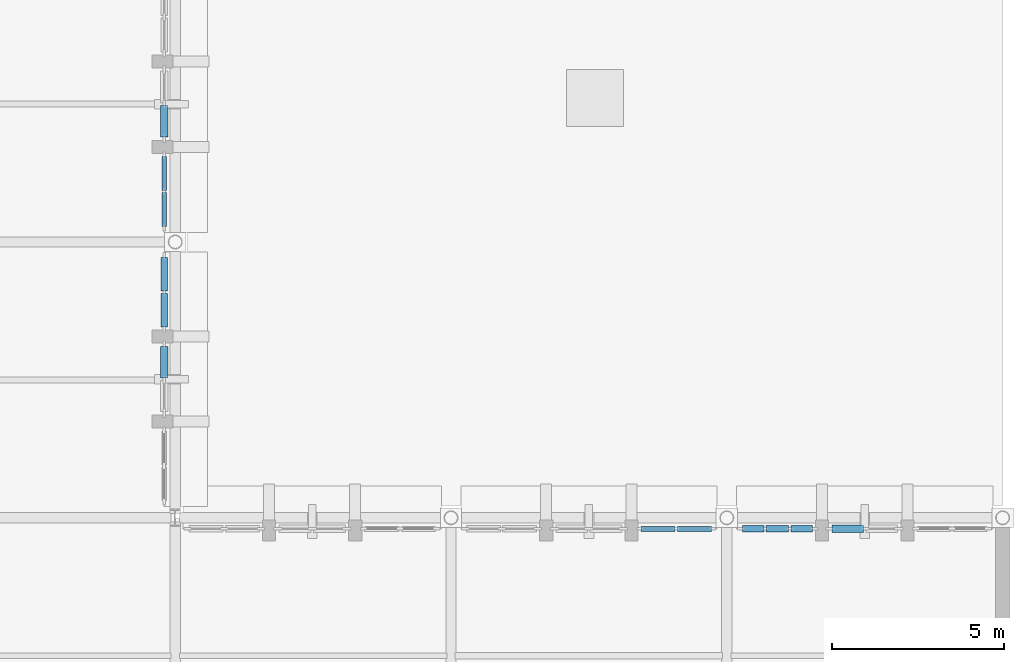
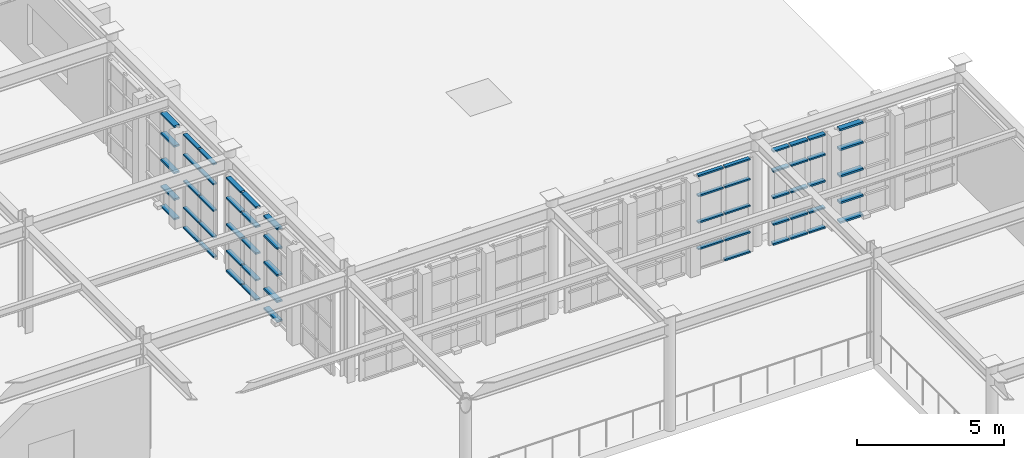
# One storey, part 82 of 155: 59 members, 7 elements without a shape of their own.
"""IFC4 building model written with IfcOpenShell, lengths in metres."""

from ifc_helpers import new_model, si_unit, direction, frame, origin, origin_2d, place, context, subcontext, project, spatial, rectangle, extrude, material, layer, layer_set, material_profile, profile_set, type_object, element, aggregate, save


model = new_model("IFC4")

# Units and contexts
model_context = context("Model", 3, precision=1e-05, world=origin(), true_north=direction((0.0, 1.0)))
body_context = subcontext(model_context, "Body", "Model", "MODEL_VIEW")
ifc_project = project(units=[si_unit("LENGTHUNIT", "METRE"), si_unit("AREAUNIT", "SQUARE_METRE"), si_unit("VOLUMEUNIT", "CUBIC_METRE"), si_unit("PLANEANGLEUNIT", "RADIAN"), si_unit("MASSUNIT", "GRAM", prefix="KILO")], contexts=[model_context])

# Site, building, storey
site_placement = place(None, origin())
site = spatial("IfcSite", under=ifc_project, at=site_placement, CompositionType="ELEMENT")
building_placement = place(site_placement, origin())
building = spatial("IfcBuilding", under=site, at=building_placement, Name="Tazarka Park Arena", CompositionType="ELEMENT")
storey_placement = place(building_placement, frame((0.0, 0.0, 5.39990234375)))
storey = spatial("IfcBuildingStorey", under=building, at=storey_placement, Name="L01", CompositionType="ELEMENT", Elevation=5.39990234375)

# Curtain wall, members
ifc_material_1 = material(Name="Aluminium and low-e glass", Category="aluminium")
ifc_layer_1 = layer(ifc_material_1, 0.179931640625, Name="Aluminium and low-e glass")
ifc_layer_set_1 = layer_set([ifc_layer_1], Name="Aluminium and low-e glass")
curtain_wall_type_1 = type_object("IfcCurtainWallType", Name="CW-15", PredefinedType="NOTDEFINED", material=ifc_layer_set_1)
curtain_wall_1_placement = place(storey_placement, origin())
curtain_wall_1 = element("IfcCurtainWall", 1, at=curtain_wall_1_placement, inside=storey, type_object=curtain_wall_type_1, Name="Curtain Wall CWA-L01-195", PredefinedType="NOTDEFINED")
ifc_material_2 = material(Name="Aluminium 6060-T66", Category="aluminium")
ifc_material_profile_1 = material_profile(ifc_material_2, rectangle(XDim=0.139892578125, YDim=0.06494140625, at=origin_2d()), Name="Aluminium 6060-T66")
ifc_profile_set_1 = profile_set([ifc_material_profile_1], Name="Aluminium 6060-T66")
member_type_1 = type_object("IfcMemberType", Name="CWT-01", PredefinedType="USERDEFINED", material=ifc_profile_set_1)
member_1_placement = place(storey_placement, frame((173.513916015625, 103.679931640625, 0.85009765625), z_axis=(1.0, 0.0, 0.0), x_axis=(0.0, 1.0, 0.0)))
member_1 = element("IfcMember", 2, at=member_1_placement, type_object=member_type_1, Name="CW-15 transom 1.2", ObjectType="TRANSOM", PredefinedType="USERDEFINED", context=body_context, shape_type="SweptSolid", body=[
    extrude(rectangle(XDim=0.139892578125, YDim=0.06494140625, at=origin_2d()), origin(), (0.0, 0.0, 1.0), 0.986328125),
])
member_2_placement = place(storey_placement, frame((173.513916015625, 103.679931640625, 1.9501953125), z_axis=(1.0, 0.0, 0.0), x_axis=(0.0, 1.0, 0.0)))
member_2 = element("IfcMember", 3, at=member_2_placement, type_object=member_type_1, Name="CW-15 transom 1.3", ObjectType="TRANSOM", PredefinedType="USERDEFINED", context=body_context, shape_type="SweptSolid", body=[
    extrude(rectangle(XDim=0.139892578125, YDim=0.06494140625, at=origin_2d()), origin(), (0.0, 0.0, 1.0), 0.986328125),
])
member_3_placement = place(storey_placement, frame((173.513916015625, 103.679931640625, 3.050048828125), z_axis=(1.0, 0.0, 0.0), x_axis=(0.0, 1.0, 0.0)))
member_3 = element("IfcMember", 4, at=member_3_placement, type_object=member_type_1, Name="CW-15 transom 1.4", ObjectType="TRANSOM", PredefinedType="USERDEFINED", context=body_context, shape_type="SweptSolid", body=[
    extrude(rectangle(XDim=0.139892578125, YDim=0.06494140625, at=origin_2d()), origin(), (0.0, 0.0, 1.0), 0.986328125),
])
member_4_placement = place(storey_placement, frame((173.513916015625, 103.679931640625, 3.877685546875), z_axis=(1.0, 0.0, 0.0), x_axis=(0.0, 1.0, 0.0)))
member_4 = element("IfcMember", 5, at=member_4_placement, type_object=member_type_1, Name="CW-15 transom 1.5", ObjectType="TRANSOM", PredefinedType="USERDEFINED", context=body_context, shape_type="SweptSolid", body=[
    extrude(rectangle(XDim=0.139892578125, YDim=0.06494140625, at=origin_2d()), origin(), (0.0, 0.0, 1.0), 0.986328125),
])
member_5_placement = place(storey_placement, frame((174.5654296875, 103.679931640625, 0.03271484375), z_axis=(1.0, 0.0, 0.0), x_axis=(0.0, 1.0, 0.0)))
member_5 = element("IfcMember", 6, at=member_5_placement, type_object=member_type_1, Name="CW-15 transom 2.1", ObjectType="TRANSOM", PredefinedType="USERDEFINED", context=body_context, shape_type="SweptSolid", body=[
    extrude(rectangle(XDim=0.139892578125, YDim=0.06494140625, at=origin_2d()), origin(), (0.0, 0.0, 1.0), 0.986328125),
])
member_6_placement = place(storey_placement, frame((174.5654296875, 103.679931640625, 0.85009765625), z_axis=(1.0, 0.0, 0.0), x_axis=(0.0, 1.0, 0.0)))
member_6 = element("IfcMember", 7, at=member_6_placement, type_object=member_type_1, Name="CW-15 transom 2.2", ObjectType="TRANSOM", PredefinedType="USERDEFINED", context=body_context, shape_type="SweptSolid", body=[
    extrude(rectangle(XDim=0.139892578125, YDim=0.06494140625, at=origin_2d()), origin(), (0.0, 0.0, 1.0), 0.986328125),
])
member_7_placement = place(storey_placement, frame((174.5654296875, 103.679931640625, 1.9501953125), z_axis=(1.0, 0.0, 0.0), x_axis=(0.0, 1.0, 0.0)))
member_7 = element("IfcMember", 8, at=member_7_placement, type_object=member_type_1, Name="CW-15 transom 2.3", ObjectType="TRANSOM", PredefinedType="USERDEFINED", context=body_context, shape_type="SweptSolid", body=[
    extrude(rectangle(XDim=0.139892578125, YDim=0.06494140625, at=origin_2d()), origin(), (0.0, 0.0, 1.0), 0.986328125),
])
member_8_placement = place(storey_placement, frame((174.5654296875, 103.679931640625, 3.050048828125), z_axis=(1.0, 0.0, 0.0), x_axis=(0.0, 1.0, 0.0)))
member_8 = element("IfcMember", 9, at=member_8_placement, type_object=member_type_1, Name="CW-15 transom 2.4", ObjectType="TRANSOM", PredefinedType="USERDEFINED", context=body_context, shape_type="SweptSolid", body=[
    extrude(rectangle(XDim=0.139892578125, YDim=0.06494140625, at=origin_2d()), origin(), (0.0, 0.0, 1.0), 0.986328125),
])
member_9_placement = place(storey_placement, frame((174.5654296875, 103.679931640625, 3.877685546875), z_axis=(1.0, 0.0, 0.0), x_axis=(0.0, 1.0, 0.0)))
member_9 = element("IfcMember", 10, at=member_9_placement, type_object=member_type_1, Name="CW-15 transom 2.5", ObjectType="TRANSOM", PredefinedType="USERDEFINED", context=body_context, shape_type="SweptSolid", body=[
    extrude(rectangle(XDim=0.139892578125, YDim=0.06494140625, at=origin_2d()), origin(), (0.0, 0.0, 1.0), 0.986328125),
])
aggregate(curtain_wall_1, [member_1, member_2, member_3, member_4, member_5, member_6, member_7, member_8, member_9])

ifc_material_3 = material(Name="Aluminium and low-e glass", Category="aluminium")
ifc_layer_2 = layer(ifc_material_3, 0.179931640625, Name="Aluminium and low-e glass")
ifc_layer_set_2 = layer_set([ifc_layer_2], Name="Aluminium and low-e glass")
curtain_wall_type_2 = type_object("IfcCurtainWallType", Name="CW-24", PredefinedType="NOTDEFINED", material=ifc_layer_set_2)
curtain_wall_2_placement = place(storey_placement, origin())
curtain_wall_2 = element("IfcCurtainWall", 11, at=curtain_wall_2_placement, inside=storey, type_object=curtain_wall_type_2, Name="Curtain Wall CWA-L01-204", PredefinedType="NOTDEFINED")
member_10_placement = place(storey_placement, frame((159.679931640625, 114.486083984375, 0.03271484375), z_axis=(0.0, -1.0, 0.0), x_axis=(1.0, 0.0, 0.0)))
member_10 = element("IfcMember", 12, at=member_10_placement, type_object=member_type_1, Name="CW-24 transom 1.1", ObjectType="TRANSOM", PredefinedType="USERDEFINED", context=body_context, shape_type="SweptSolid", body=[
    extrude(rectangle(XDim=0.139892578125, YDim=0.06494140625, at=origin_2d()), origin(), (0.0, 0.0, 1.0), 0.986328125),
])
member_11_placement = place(storey_placement, frame((159.679931640625, 114.486083984375, 0.85009765625), z_axis=(0.0, -1.0, 0.0), x_axis=(1.0, 0.0, 0.0)))
member_11 = element("IfcMember", 13, at=member_11_placement, type_object=member_type_1, Name="CW-24 transom 1.2", ObjectType="TRANSOM", PredefinedType="USERDEFINED", context=body_context, shape_type="SweptSolid", body=[
    extrude(rectangle(XDim=0.139892578125, YDim=0.06494140625, at=origin_2d()), origin(), (0.0, 0.0, 1.0), 0.986328125),
])
member_12_placement = place(storey_placement, frame((159.679931640625, 114.486083984375, 1.9501953125), z_axis=(0.0, -1.0, 0.0), x_axis=(1.0, 0.0, 0.0)))
member_12 = element("IfcMember", 14, at=member_12_placement, type_object=member_type_1, Name="CW-24 transom 1.3", ObjectType="TRANSOM", PredefinedType="USERDEFINED", context=body_context, shape_type="SweptSolid", body=[
    extrude(rectangle(XDim=0.139892578125, YDim=0.06494140625, at=origin_2d()), origin(), (0.0, 0.0, 1.0), 0.986328125),
])
member_13_placement = place(storey_placement, frame((159.679931640625, 114.486083984375, 3.050048828125), z_axis=(0.0, -1.0, 0.0), x_axis=(1.0, 0.0, 0.0)))
member_13 = element("IfcMember", 15, at=member_13_placement, type_object=member_type_1, Name="CW-24 transom 1.4", ObjectType="TRANSOM", PredefinedType="USERDEFINED", context=body_context, shape_type="SweptSolid", body=[
    extrude(rectangle(XDim=0.139892578125, YDim=0.06494140625, at=origin_2d()), origin(), (0.0, 0.0, 1.0), 0.986328125),
])
member_14_placement = place(storey_placement, frame((159.679931640625, 114.486083984375, 3.877685546875), z_axis=(0.0, -1.0, 0.0), x_axis=(1.0, 0.0, 0.0)))
member_14 = element("IfcMember", 16, at=member_14_placement, type_object=member_type_1, Name="CW-24 transom 1.5", ObjectType="TRANSOM", PredefinedType="USERDEFINED", context=body_context, shape_type="SweptSolid", body=[
    extrude(rectangle(XDim=0.139892578125, YDim=0.06494140625, at=origin_2d()), origin(), (0.0, 0.0, 1.0), 0.986328125),
])
member_15_placement = place(storey_placement, frame((159.679931640625, 113.4345703125, 0.03271484375), z_axis=(0.0, -1.0, 0.0), x_axis=(1.0, 0.0, 0.0)))
member_15 = element("IfcMember", 17, at=member_15_placement, type_object=member_type_1, Name="CW-24 transom 2.1", ObjectType="TRANSOM", PredefinedType="USERDEFINED", context=body_context, shape_type="SweptSolid", body=[
    extrude(rectangle(XDim=0.139892578125, YDim=0.06494140625, at=origin_2d()), origin(), (0.0, 0.0, 1.0), 0.986328125),
])
member_16_placement = place(storey_placement, frame((159.679931640625, 113.4345703125, 0.85009765625), z_axis=(0.0, -1.0, 0.0), x_axis=(1.0, 0.0, 0.0)))
member_16 = element("IfcMember", 18, at=member_16_placement, type_object=member_type_1, Name="CW-24 transom 2.2", ObjectType="TRANSOM", PredefinedType="USERDEFINED", context=body_context, shape_type="SweptSolid", body=[
    extrude(rectangle(XDim=0.139892578125, YDim=0.06494140625, at=origin_2d()), origin(), (0.0, 0.0, 1.0), 0.986328125),
])
member_17_placement = place(storey_placement, frame((159.679931640625, 113.4345703125, 1.9501953125), z_axis=(0.0, -1.0, 0.0), x_axis=(1.0, 0.0, 0.0)))
member_17 = element("IfcMember", 19, at=member_17_placement, type_object=member_type_1, Name="CW-24 transom 2.3", ObjectType="TRANSOM", PredefinedType="USERDEFINED", context=body_context, shape_type="SweptSolid", body=[
    extrude(rectangle(XDim=0.139892578125, YDim=0.06494140625, at=origin_2d()), origin(), (0.0, 0.0, 1.0), 0.986328125),
])
member_18_placement = place(storey_placement, frame((159.679931640625, 113.4345703125, 3.050048828125), z_axis=(0.0, -1.0, 0.0), x_axis=(1.0, 0.0, 0.0)))
member_18 = element("IfcMember", 20, at=member_18_placement, type_object=member_type_1, Name="CW-24 transom 2.4", ObjectType="TRANSOM", PredefinedType="USERDEFINED", context=body_context, shape_type="SweptSolid", body=[
    extrude(rectangle(XDim=0.139892578125, YDim=0.06494140625, at=origin_2d()), origin(), (0.0, 0.0, 1.0), 0.986328125),
])
member_19_placement = place(storey_placement, frame((159.679931640625, 113.4345703125, 3.877685546875), z_axis=(0.0, -1.0, 0.0), x_axis=(1.0, 0.0, 0.0)))
member_19 = element("IfcMember", 21, at=member_19_placement, type_object=member_type_1, Name="CW-24 transom 2.5", ObjectType="TRANSOM", PredefinedType="USERDEFINED", context=body_context, shape_type="SweptSolid", body=[
    extrude(rectangle(XDim=0.139892578125, YDim=0.06494140625, at=origin_2d()), origin(), (0.0, 0.0, 1.0), 0.986328125),
])
aggregate(curtain_wall_2, [member_10, member_11, member_12, member_13, member_14, member_15, member_16, member_17, member_18, member_19])

ifc_material_4 = material(Name="Aluminium and low-e glass", Category="aluminium")
ifc_layer_3 = layer(ifc_material_4, 0.179931640625, Name="Aluminium and low-e glass")
ifc_layer_set_3 = layer_set([ifc_layer_3], Name="Aluminium and low-e glass")
curtain_wall_type_3 = type_object("IfcCurtainWallType", Name="CW-10", PredefinedType="NOTDEFINED", material=ifc_layer_set_3)
curtain_wall_3_placement = place(storey_placement, origin())
curtain_wall_3 = element("IfcCurtainWall", 22, at=curtain_wall_3_placement, inside=storey, type_object=curtain_wall_type_3, Name="Curtain Wall CWA-L01-190", PredefinedType="NOTDEFINED")
ifc_material_5 = material(Name="Aluminium 6060-T66", Category="aluminium")
ifc_material_profile_2 = material_profile(ifc_material_5, rectangle(XDim=0.179931640625, YDim=0.06494140625, at=origin_2d()), Name="Aluminium 6060-T66")
ifc_profile_set_2 = profile_set([ifc_material_profile_2], Name="Aluminium 6060-T66")
member_type_2 = type_object("IfcMemberType", Name="CWT-02", PredefinedType="USERDEFINED", material=ifc_profile_set_2)
member_20_placement = place(storey_placement, frame((176.4482421875, 103.679931640625, 0.03271484375), z_axis=(1.0, 0.0, 0.0), x_axis=(0.0, 1.0, 0.0)))
member_20 = element("IfcMember", 23, at=member_20_placement, type_object=member_type_2, Name="CW-10 transom 1.1", ObjectType="TRANSOM", PredefinedType="USERDEFINED", context=body_context, shape_type="SweptSolid", body=[
    extrude(rectangle(XDim=0.179931640625, YDim=0.06494140625, at=origin_2d()), origin(), (0.0, 0.0, 1.0), 0.625),
])
member_21_placement = place(storey_placement, frame((176.4482421875, 103.679931640625, 0.85009765625), z_axis=(1.0, 0.0, 0.0), x_axis=(0.0, 1.0, 0.0)))
member_21 = element("IfcMember", 24, at=member_21_placement, type_object=member_type_2, Name="CW-10 transom 1.2", ObjectType="TRANSOM", PredefinedType="USERDEFINED", context=body_context, shape_type="SweptSolid", body=[
    extrude(rectangle(XDim=0.179931640625, YDim=0.06494140625, at=origin_2d()), origin(), (0.0, 0.0, 1.0), 0.625),
])
member_22_placement = place(storey_placement, frame((176.4482421875, 103.679931640625, 1.9501953125), z_axis=(1.0, 0.0, 0.0), x_axis=(0.0, 1.0, 0.0)))
member_22 = element("IfcMember", 25, at=member_22_placement, type_object=member_type_2, Name="CW-10 transom 1.3", ObjectType="TRANSOM", PredefinedType="USERDEFINED", context=body_context, shape_type="SweptSolid", body=[
    extrude(rectangle(XDim=0.179931640625, YDim=0.06494140625, at=origin_2d()), origin(), (0.0, 0.0, 1.0), 0.625),
])
member_23_placement = place(storey_placement, frame((176.4482421875, 103.679931640625, 3.050048828125), z_axis=(1.0, 0.0, 0.0), x_axis=(0.0, 1.0, 0.0)))
member_23 = element("IfcMember", 26, at=member_23_placement, type_object=member_type_2, Name="CW-10 transom 1.4", ObjectType="TRANSOM", PredefinedType="USERDEFINED", context=body_context, shape_type="SweptSolid", body=[
    extrude(rectangle(XDim=0.179931640625, YDim=0.06494140625, at=origin_2d()), origin(), (0.0, 0.0, 1.0), 0.625),
])
member_24_placement = place(storey_placement, frame((176.4482421875, 103.679931640625, 3.877685546875), z_axis=(1.0, 0.0, 0.0), x_axis=(0.0, 1.0, 0.0)))
member_24 = element("IfcMember", 27, at=member_24_placement, type_object=member_type_2, Name="CW-10 transom 1.5", ObjectType="TRANSOM", PredefinedType="USERDEFINED", context=body_context, shape_type="SweptSolid", body=[
    extrude(rectangle(XDim=0.179931640625, YDim=0.06494140625, at=origin_2d()), origin(), (0.0, 0.0, 1.0), 0.625),
])
member_25_placement = place(storey_placement, frame((177.138427734375, 103.679931640625, 0.03271484375), z_axis=(1.0, 0.0, 0.0), x_axis=(0.0, 1.0, 0.0)))
member_25 = element("IfcMember", 28, at=member_25_placement, type_object=member_type_2, Name="CW-10 transom 2.1", ObjectType="TRANSOM", PredefinedType="USERDEFINED", context=body_context, shape_type="SweptSolid", body=[
    extrude(rectangle(XDim=0.179931640625, YDim=0.06494140625, at=origin_2d()), origin(), (0.0, 0.0, 1.0), 0.657470703125),
])
member_26_placement = place(storey_placement, frame((177.138427734375, 103.679931640625, 0.85009765625), z_axis=(1.0, 0.0, 0.0), x_axis=(0.0, 1.0, 0.0)))
member_26 = element("IfcMember", 29, at=member_26_placement, type_object=member_type_2, Name="CW-10 transom 2.2", ObjectType="TRANSOM", PredefinedType="USERDEFINED", context=body_context, shape_type="SweptSolid", body=[
    extrude(rectangle(XDim=0.179931640625, YDim=0.06494140625, at=origin_2d()), origin(), (0.0, 0.0, 1.0), 0.657470703125),
])
member_27_placement = place(storey_placement, frame((177.138427734375, 103.679931640625, 1.9501953125), z_axis=(1.0, 0.0, 0.0), x_axis=(0.0, 1.0, 0.0)))
member_27 = element("IfcMember", 30, at=member_27_placement, type_object=member_type_2, Name="CW-10 transom 2.3", ObjectType="TRANSOM", PredefinedType="USERDEFINED", context=body_context, shape_type="SweptSolid", body=[
    extrude(rectangle(XDim=0.179931640625, YDim=0.06494140625, at=origin_2d()), origin(), (0.0, 0.0, 1.0), 0.657470703125),
])
member_28_placement = place(storey_placement, frame((177.138427734375, 103.679931640625, 3.050048828125), z_axis=(1.0, 0.0, 0.0), x_axis=(0.0, 1.0, 0.0)))
member_28 = element("IfcMember", 31, at=member_28_placement, type_object=member_type_2, Name="CW-10 transom 2.4", ObjectType="TRANSOM", PredefinedType="USERDEFINED", context=body_context, shape_type="SweptSolid", body=[
    extrude(rectangle(XDim=0.179931640625, YDim=0.06494140625, at=origin_2d()), origin(), (0.0, 0.0, 1.0), 0.657470703125),
])
member_29_placement = place(storey_placement, frame((177.138427734375, 103.679931640625, 3.877685546875), z_axis=(1.0, 0.0, 0.0), x_axis=(0.0, 1.0, 0.0)))
member_29 = element("IfcMember", 32, at=member_29_placement, type_object=member_type_2, Name="CW-10 transom 2.5", ObjectType="TRANSOM", PredefinedType="USERDEFINED", context=body_context, shape_type="SweptSolid", body=[
    extrude(rectangle(XDim=0.179931640625, YDim=0.06494140625, at=origin_2d()), origin(), (0.0, 0.0, 1.0), 0.657470703125),
])
member_30_placement = place(storey_placement, frame((177.861083984375, 103.679931640625, 0.03271484375), z_axis=(1.0, 0.0, 0.0), x_axis=(0.0, 1.0, 0.0)))
member_30 = element("IfcMember", 33, at=member_30_placement, type_object=member_type_2, Name="CW-10 transom 3.1", ObjectType="TRANSOM", PredefinedType="USERDEFINED", context=body_context, shape_type="SweptSolid", body=[
    extrude(rectangle(XDim=0.179931640625, YDim=0.06494140625, at=origin_2d()), origin(), (0.0, 0.0, 1.0), 0.625),
])
member_31_placement = place(storey_placement, frame((177.861083984375, 103.679931640625, 0.85009765625), z_axis=(1.0, 0.0, 0.0), x_axis=(0.0, 1.0, 0.0)))
member_31 = element("IfcMember", 34, at=member_31_placement, type_object=member_type_2, Name="CW-10 transom 3.2", ObjectType="TRANSOM", PredefinedType="USERDEFINED", context=body_context, shape_type="SweptSolid", body=[
    extrude(rectangle(XDim=0.179931640625, YDim=0.06494140625, at=origin_2d()), origin(), (0.0, 0.0, 1.0), 0.625),
])
member_32_placement = place(storey_placement, frame((177.861083984375, 103.679931640625, 1.9501953125), z_axis=(1.0, 0.0, 0.0), x_axis=(0.0, 1.0, 0.0)))
member_32 = element("IfcMember", 35, at=member_32_placement, type_object=member_type_2, Name="CW-10 transom 3.3", ObjectType="TRANSOM", PredefinedType="USERDEFINED", context=body_context, shape_type="SweptSolid", body=[
    extrude(rectangle(XDim=0.179931640625, YDim=0.06494140625, at=origin_2d()), origin(), (0.0, 0.0, 1.0), 0.625),
])
member_33_placement = place(storey_placement, frame((177.861083984375, 103.679931640625, 3.050048828125), z_axis=(1.0, 0.0, 0.0), x_axis=(0.0, 1.0, 0.0)))
member_33 = element("IfcMember", 36, at=member_33_placement, type_object=member_type_2, Name="CW-10 transom 3.4", ObjectType="TRANSOM", PredefinedType="USERDEFINED", context=body_context, shape_type="SweptSolid", body=[
    extrude(rectangle(XDim=0.179931640625, YDim=0.06494140625, at=origin_2d()), origin(), (0.0, 0.0, 1.0), 0.625),
])
member_34_placement = place(storey_placement, frame((177.861083984375, 103.679931640625, 3.877685546875), z_axis=(1.0, 0.0, 0.0), x_axis=(0.0, 1.0, 0.0)))
member_34 = element("IfcMember", 37, at=member_34_placement, type_object=member_type_2, Name="CW-10 transom 3.5", ObjectType="TRANSOM", PredefinedType="USERDEFINED", context=body_context, shape_type="SweptSolid", body=[
    extrude(rectangle(XDim=0.179931640625, YDim=0.06494140625, at=origin_2d()), origin(), (0.0, 0.0, 1.0), 0.625),
])
aggregate(curtain_wall_3, [member_20, member_21, member_22, member_23, member_24, member_25, member_26, member_27, member_28, member_29, member_30, member_31, member_32, member_33, member_34])

ifc_material_6 = material(Name="Aluminium and low-e glass", Category="aluminium")
ifc_layer_4 = layer(ifc_material_6, 0.179931640625, Name="Aluminium and low-e glass")
ifc_layer_set_4 = layer_set([ifc_layer_4], Name="Aluminium and low-e glass")
curtain_wall_type_4 = type_object("IfcCurtainWallType", Name="CW-19", PredefinedType="NOTDEFINED", material=ifc_layer_set_4)
curtain_wall_4_placement = place(storey_placement, origin())
curtain_wall_4 = element("IfcCurtainWall", 38, at=curtain_wall_4_placement, inside=storey, type_object=curtain_wall_type_4, Name="Curtain Wall CWA-L01-199", PredefinedType="NOTDEFINED")
member_35_placement = place(storey_placement, frame((159.679931640625, 111.5517578125, 0.03271484375), z_axis=(0.0, -1.0, 0.0), x_axis=(1.0, 0.0, 0.0)))
member_35 = element("IfcMember", 39, at=member_35_placement, type_object=member_type_2, Name="CW-19 transom 1.1", ObjectType="TRANSOM", PredefinedType="USERDEFINED", context=body_context, shape_type="SweptSolid", body=[
    extrude(rectangle(XDim=0.179931640625, YDim=0.06494140625, at=origin_2d()), origin(), (0.0, 0.0, 1.0), 0.978515625),
])
member_36_placement = place(storey_placement, frame((159.679931640625, 111.5517578125, 0.85009765625), z_axis=(0.0, -1.0, 0.0), x_axis=(1.0, 0.0, 0.0)))
member_36 = element("IfcMember", 40, at=member_36_placement, type_object=member_type_2, Name="CW-19 transom 1.2", ObjectType="TRANSOM", PredefinedType="USERDEFINED", context=body_context, shape_type="SweptSolid", body=[
    extrude(rectangle(XDim=0.179931640625, YDim=0.06494140625, at=origin_2d()), origin(), (0.0, 0.0, 1.0), 0.978515625),
])
member_37_placement = place(storey_placement, frame((159.679931640625, 111.5517578125, 1.9501953125), z_axis=(0.0, -1.0, 0.0), x_axis=(1.0, 0.0, 0.0)))
member_37 = element("IfcMember", 41, at=member_37_placement, type_object=member_type_2, Name="CW-19 transom 1.3", ObjectType="TRANSOM", PredefinedType="USERDEFINED", context=body_context, shape_type="SweptSolid", body=[
    extrude(rectangle(XDim=0.179931640625, YDim=0.06494140625, at=origin_2d()), origin(), (0.0, 0.0, 1.0), 0.978515625),
])
member_38_placement = place(storey_placement, frame((159.679931640625, 111.5517578125, 3.050048828125), z_axis=(0.0, -1.0, 0.0), x_axis=(1.0, 0.0, 0.0)))
member_38 = element("IfcMember", 42, at=member_38_placement, type_object=member_type_2, Name="CW-19 transom 1.4", ObjectType="TRANSOM", PredefinedType="USERDEFINED", context=body_context, shape_type="SweptSolid", body=[
    extrude(rectangle(XDim=0.179931640625, YDim=0.06494140625, at=origin_2d()), origin(), (0.0, 0.0, 1.0), 0.978515625),
])
member_39_placement = place(storey_placement, frame((159.679931640625, 111.5517578125, 3.86767578125), z_axis=(0.0, -1.0, 0.0), x_axis=(1.0, 0.0, 0.0)))
member_39 = element("IfcMember", 43, at=member_39_placement, type_object=member_type_2, Name="CW-19 transom 1.5", ObjectType="TRANSOM", PredefinedType="USERDEFINED", context=body_context, shape_type="SweptSolid", body=[
    extrude(rectangle(XDim=0.179931640625, YDim=0.06494140625, at=origin_2d()), origin(), (0.0, 0.0, 1.0), 0.978515625),
])
member_40_placement = place(storey_placement, frame((159.679931640625, 110.508056640625, 0.03271484375), z_axis=(0.0, -1.0, 0.0), x_axis=(1.0, 0.0, 0.0)))
member_40 = element("IfcMember", 44, at=member_40_placement, type_object=member_type_2, Name="CW-19 transom 2.1", ObjectType="TRANSOM", PredefinedType="USERDEFINED", context=body_context, shape_type="SweptSolid", body=[
    extrude(rectangle(XDim=0.179931640625, YDim=0.06494140625, at=origin_2d()), origin(), (0.0, 0.0, 1.0), 0.978515625),
])
member_41_placement = place(storey_placement, frame((159.679931640625, 110.508056640625, 0.85009765625), z_axis=(0.0, -1.0, 0.0), x_axis=(1.0, 0.0, 0.0)))
member_41 = element("IfcMember", 45, at=member_41_placement, type_object=member_type_2, Name="CW-19 transom 2.2", ObjectType="TRANSOM", PredefinedType="USERDEFINED", context=body_context, shape_type="SweptSolid", body=[
    extrude(rectangle(XDim=0.179931640625, YDim=0.06494140625, at=origin_2d()), origin(), (0.0, 0.0, 1.0), 0.978515625),
])
member_42_placement = place(storey_placement, frame((159.679931640625, 110.508056640625, 1.9501953125), z_axis=(0.0, -1.0, 0.0), x_axis=(1.0, 0.0, 0.0)))
member_42 = element("IfcMember", 46, at=member_42_placement, type_object=member_type_2, Name="CW-19 transom 2.3", ObjectType="TRANSOM", PredefinedType="USERDEFINED", context=body_context, shape_type="SweptSolid", body=[
    extrude(rectangle(XDim=0.179931640625, YDim=0.06494140625, at=origin_2d()), origin(), (0.0, 0.0, 1.0), 0.978515625),
])
member_43_placement = place(storey_placement, frame((159.679931640625, 110.508056640625, 3.050048828125), z_axis=(0.0, -1.0, 0.0), x_axis=(1.0, 0.0, 0.0)))
member_43 = element("IfcMember", 47, at=member_43_placement, type_object=member_type_2, Name="CW-19 transom 2.4", ObjectType="TRANSOM", PredefinedType="USERDEFINED", context=body_context, shape_type="SweptSolid", body=[
    extrude(rectangle(XDim=0.179931640625, YDim=0.06494140625, at=origin_2d()), origin(), (0.0, 0.0, 1.0), 0.978515625),
])
member_44_placement = place(storey_placement, frame((159.679931640625, 110.508056640625, 3.86767578125), z_axis=(0.0, -1.0, 0.0), x_axis=(1.0, 0.0, 0.0)))
member_44 = element("IfcMember", 48, at=member_44_placement, type_object=member_type_2, Name="CW-19 transom 2.5", ObjectType="TRANSOM", PredefinedType="USERDEFINED", context=body_context, shape_type="SweptSolid", body=[
    extrude(rectangle(XDim=0.179931640625, YDim=0.06494140625, at=origin_2d()), origin(), (0.0, 0.0, 1.0), 0.978515625),
])
aggregate(curtain_wall_4, [member_35, member_36, member_37, member_38, member_39, member_40, member_41, member_42, member_43, member_44])

ifc_material_7 = material(Name="Aluminium and low-e glass", Category="aluminium")
ifc_layer_5 = layer(ifc_material_7, 0.179931640625, Name="Aluminium and low-e glass")
ifc_layer_set_5 = layer_set([ifc_layer_5], Name="Aluminium and low-e glass")
curtain_wall_type_5 = type_object("IfcCurtainWallType", Name="CW-11", PredefinedType="NOTDEFINED", material=ifc_layer_set_5)
curtain_wall_5_placement = place(storey_placement, origin())
curtain_wall_5 = element("IfcCurtainWall", 49, at=curtain_wall_5_placement, inside=storey, type_object=curtain_wall_type_5, Name="Curtain Wall CWA-L01-191", PredefinedType="NOTDEFINED")
ifc_material_8 = material(Name="Aluminium 6060-T66", Category="aluminium")
ifc_material_profile_3 = material_profile(ifc_material_8, rectangle(XDim=0.2099609375, YDim=0.074951171875, at=origin_2d()), Name="Aluminium 6060-T66")
ifc_profile_set_3 = profile_set([ifc_material_profile_3], Name="Aluminium 6060-T66")
member_type_3 = type_object("IfcMemberType", Name="CWT-03", PredefinedType="USERDEFINED", material=ifc_profile_set_3)
member_45_placement = place(storey_placement, frame((179.046142578125, 103.679931640625, 0.03759765625), z_axis=(1.0, 0.0, 0.0), x_axis=(0.0, 1.0, 0.0)))
member_45 = element("IfcMember", 50, at=member_45_placement, type_object=member_type_3, Name="CW-11 transom 1.1", ObjectType="TRANSOM", PredefinedType="USERDEFINED", context=body_context, shape_type="SweptSolid", body=[
    extrude(rectangle(XDim=0.2099609375, YDim=0.074951171875, at=origin_2d()), origin(), (0.0, 0.0, 1.0), 0.916259765625),
])
member_46_placement = place(storey_placement, frame((179.046142578125, 103.679931640625, 0.85009765625), z_axis=(1.0, 0.0, 0.0), x_axis=(0.0, 1.0, 0.0)))
member_46 = element("IfcMember", 51, at=member_46_placement, type_object=member_type_3, Name="CW-11 transom 1.2", ObjectType="TRANSOM", PredefinedType="USERDEFINED", context=body_context, shape_type="SweptSolid", body=[
    extrude(rectangle(XDim=0.2099609375, YDim=0.074951171875, at=origin_2d()), origin(), (0.0, 0.0, 1.0), 0.916259765625),
])
member_47_placement = place(storey_placement, frame((179.046142578125, 103.679931640625, 1.9501953125), z_axis=(1.0, 0.0, 0.0), x_axis=(0.0, 1.0, 0.0)))
member_47 = element("IfcMember", 52, at=member_47_placement, type_object=member_type_3, Name="CW-11 transom 1.3", ObjectType="TRANSOM", PredefinedType="USERDEFINED", context=body_context, shape_type="SweptSolid", body=[
    extrude(rectangle(XDim=0.2099609375, YDim=0.074951171875, at=origin_2d()), origin(), (0.0, 0.0, 1.0), 0.916259765625),
])
member_48_placement = place(storey_placement, frame((179.046142578125, 103.679931640625, 3.050048828125), z_axis=(1.0, 0.0, 0.0), x_axis=(0.0, 1.0, 0.0)))
member_48 = element("IfcMember", 53, at=member_48_placement, type_object=member_type_3, Name="CW-11 transom 1.4", ObjectType="TRANSOM", PredefinedType="USERDEFINED", context=body_context, shape_type="SweptSolid", body=[
    extrude(rectangle(XDim=0.2099609375, YDim=0.074951171875, at=origin_2d()), origin(), (0.0, 0.0, 1.0), 0.916259765625),
])
member_49_placement = place(storey_placement, frame((179.046142578125, 103.679931640625, 3.87255859375), z_axis=(1.0, 0.0, 0.0), x_axis=(0.0, 1.0, 0.0)))
member_49 = element("IfcMember", 54, at=member_49_placement, type_object=member_type_3, Name="CW-11 transom 1.5", ObjectType="TRANSOM", PredefinedType="USERDEFINED", context=body_context, shape_type="SweptSolid", body=[
    extrude(rectangle(XDim=0.2099609375, YDim=0.074951171875, at=origin_2d()), origin(), (0.0, 0.0, 1.0), 0.916259765625),
])
aggregate(curtain_wall_5, [member_45, member_46, member_47, member_48, member_49])

ifc_material_9 = material(Name="Aluminium and low-e glass", Category="aluminium")
ifc_layer_6 = layer(ifc_material_9, 0.179931640625, Name="Aluminium and low-e glass")
ifc_layer_set_6 = layer_set([ifc_layer_6], Name="Aluminium and low-e glass")
curtain_wall_type_6 = type_object("IfcCurtainWallType", Name="CW-20", PredefinedType="NOTDEFINED", material=ifc_layer_set_6)
curtain_wall_6_placement = place(storey_placement, origin())
curtain_wall_6 = element("IfcCurtainWall", 55, at=curtain_wall_6_placement, inside=storey, type_object=curtain_wall_type_6, Name="Curtain Wall CWA-L01-200", PredefinedType="NOTDEFINED")
member_50_placement = place(storey_placement, frame((159.679931640625, 108.969482421875, 0.03759765625), z_axis=(0.0, -1.0, 0.0), x_axis=(1.0, 0.0, 0.0)))
member_50 = element("IfcMember", 56, at=member_50_placement, type_object=member_type_3, Name="CW-20 transom 1.1", ObjectType="TRANSOM", PredefinedType="USERDEFINED", context=body_context, shape_type="SweptSolid", body=[
    extrude(rectangle(XDim=0.2099609375, YDim=0.074951171875, at=origin_2d()), origin(), (0.0, 0.0, 1.0), 0.90869140625),
])
member_51_placement = place(storey_placement, frame((159.679931640625, 108.969482421875, 0.85009765625), z_axis=(0.0, -1.0, 0.0), x_axis=(1.0, 0.0, 0.0)))
member_51 = element("IfcMember", 57, at=member_51_placement, type_object=member_type_3, Name="CW-20 transom 1.2", ObjectType="TRANSOM", PredefinedType="USERDEFINED", context=body_context, shape_type="SweptSolid", body=[
    extrude(rectangle(XDim=0.2099609375, YDim=0.074951171875, at=origin_2d()), origin(), (0.0, 0.0, 1.0), 0.90869140625),
])
member_52_placement = place(storey_placement, frame((159.679931640625, 108.969482421875, 1.9501953125), z_axis=(0.0, -1.0, 0.0), x_axis=(1.0, 0.0, 0.0)))
member_52 = element("IfcMember", 58, at=member_52_placement, type_object=member_type_3, Name="CW-20 transom 1.3", ObjectType="TRANSOM", PredefinedType="USERDEFINED", context=body_context, shape_type="SweptSolid", body=[
    extrude(rectangle(XDim=0.2099609375, YDim=0.074951171875, at=origin_2d()), origin(), (0.0, 0.0, 1.0), 0.90869140625),
])
member_53_placement = place(storey_placement, frame((159.679931640625, 108.969482421875, 3.050048828125), z_axis=(0.0, -1.0, 0.0), x_axis=(1.0, 0.0, 0.0)))
member_53 = element("IfcMember", 59, at=member_53_placement, type_object=member_type_3, Name="CW-20 transom 1.4", ObjectType="TRANSOM", PredefinedType="USERDEFINED", context=body_context, shape_type="SweptSolid", body=[
    extrude(rectangle(XDim=0.2099609375, YDim=0.074951171875, at=origin_2d()), origin(), (0.0, 0.0, 1.0), 0.90869140625),
])
member_54_placement = place(storey_placement, frame((159.679931640625, 108.969482421875, 3.862548828125), z_axis=(0.0, -1.0, 0.0), x_axis=(1.0, 0.0, 0.0)))
member_54 = element("IfcMember", 60, at=member_54_placement, type_object=member_type_3, Name="CW-20 transom 1.5", ObjectType="TRANSOM", PredefinedType="USERDEFINED", context=body_context, shape_type="SweptSolid", body=[
    extrude(rectangle(XDim=0.2099609375, YDim=0.074951171875, at=origin_2d()), origin(), (0.0, 0.0, 1.0), 0.90869140625),
])
aggregate(curtain_wall_6, [member_50, member_51, member_52, member_53, member_54])

ifc_material_10 = material(Name="Aluminium and low-e glass", Category="aluminium")
ifc_layer_7 = layer(ifc_material_10, 0.179931640625, Name="Aluminium and low-e glass")
ifc_layer_set_7 = layer_set([ifc_layer_7], Name="Aluminium and low-e glass")
curtain_wall_type_7 = type_object("IfcCurtainWallType", Name="CW-23", PredefinedType="NOTDEFINED", material=ifc_layer_set_7)
curtain_wall_7_placement = place(storey_placement, origin())
curtain_wall_7 = element("IfcCurtainWall", 61, at=curtain_wall_7_placement, inside=storey, type_object=curtain_wall_type_7, Name="Curtain Wall CWA-L01-203", PredefinedType="NOTDEFINED")
member_55_placement = place(storey_placement, frame((159.679931640625, 115.96240234375, 0.03759765625), z_axis=(0.0, -1.0, 0.0), x_axis=(1.0, 0.0, 0.0)))
member_55 = element("IfcMember", 62, at=member_55_placement, type_object=member_type_3, Name="CW-23 transom 2.1", ObjectType="TRANSOM", PredefinedType="USERDEFINED", context=body_context, shape_type="SweptSolid", body=[
    extrude(rectangle(XDim=0.2099609375, YDim=0.074951171875, at=origin_2d()), origin(), (0.0, 0.0, 1.0), 0.916259765625),
])
member_56_placement = place(storey_placement, frame((159.679931640625, 115.96240234375, 0.85009765625), z_axis=(0.0, -1.0, 0.0), x_axis=(1.0, 0.0, 0.0)))
member_56 = element("IfcMember", 63, at=member_56_placement, type_object=member_type_3, Name="CW-23 transom 2.2", ObjectType="TRANSOM", PredefinedType="USERDEFINED", context=body_context, shape_type="SweptSolid", body=[
    extrude(rectangle(XDim=0.2099609375, YDim=0.074951171875, at=origin_2d()), origin(), (0.0, 0.0, 1.0), 0.916259765625),
])
member_57_placement = place(storey_placement, frame((159.679931640625, 115.96240234375, 1.9501953125), z_axis=(0.0, -1.0, 0.0), x_axis=(1.0, 0.0, 0.0)))
member_57 = element("IfcMember", 64, at=member_57_placement, type_object=member_type_3, Name="CW-23 transom 2.3", ObjectType="TRANSOM", PredefinedType="USERDEFINED", context=body_context, shape_type="SweptSolid", body=[
    extrude(rectangle(XDim=0.2099609375, YDim=0.074951171875, at=origin_2d()), origin(), (0.0, 0.0, 1.0), 0.916259765625),
])
member_58_placement = place(storey_placement, frame((159.679931640625, 115.96240234375, 3.050048828125), z_axis=(0.0, -1.0, 0.0), x_axis=(1.0, 0.0, 0.0)))
member_58 = element("IfcMember", 65, at=member_58_placement, type_object=member_type_3, Name="CW-23 transom 2.4", ObjectType="TRANSOM", PredefinedType="USERDEFINED", context=body_context, shape_type="SweptSolid", body=[
    extrude(rectangle(XDim=0.2099609375, YDim=0.074951171875, at=origin_2d()), origin(), (0.0, 0.0, 1.0), 0.916259765625),
])
member_59_placement = place(storey_placement, frame((159.679931640625, 115.96240234375, 3.87255859375), z_axis=(0.0, -1.0, 0.0), x_axis=(1.0, 0.0, 0.0)))
member_59 = element("IfcMember", 66, at=member_59_placement, type_object=member_type_3, Name="CW-23 transom 2.5", ObjectType="TRANSOM", PredefinedType="USERDEFINED", context=body_context, shape_type="SweptSolid", body=[
    extrude(rectangle(XDim=0.2099609375, YDim=0.074951171875, at=origin_2d()), origin(), (0.0, 0.0, 1.0), 0.916259765625),
])
aggregate(curtain_wall_7, [member_55, member_56, member_57, member_58, member_59])

save(model, "model.ifc")
